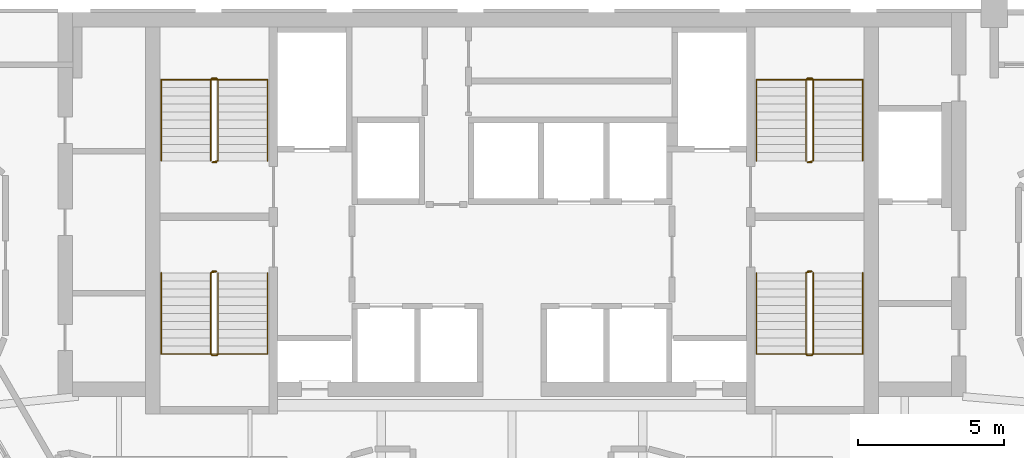
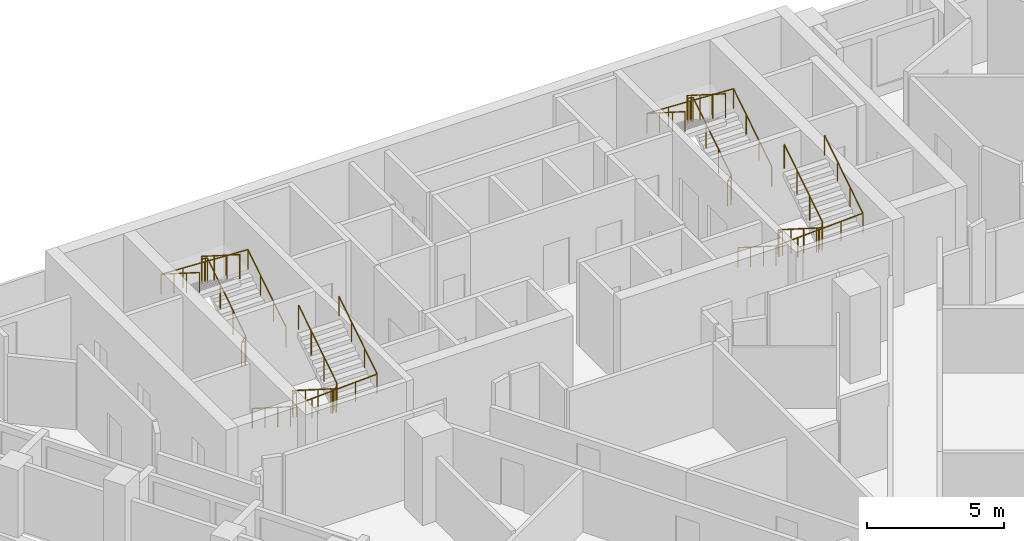
# One storey, part 9 of 9: 8 railings.
"""IFC4 building model written with IfcOpenShell, lengths in metres."""

from ifc_helpers import new_model, si_unit, direction, frame, origin, origin_2d, place, context, subcontext, project, spatial, circle, extrude, material, type_object, element, save


model = new_model("IFC4")

# Units and contexts
model_context = context("Model", 3, precision=1e-05, world=origin(), true_north=direction((0.0, 1.0)))
body_context = subcontext(model_context, "Body", "Model", "MODEL_VIEW")
ifc_project = project(units=[si_unit("LENGTHUNIT", "METRE"), si_unit("AREAUNIT", "SQUARE_METRE"), si_unit("VOLUMEUNIT", "CUBIC_METRE"), si_unit("PLANEANGLEUNIT", "RADIAN"), si_unit("MASSUNIT", "GRAM", prefix="KILO")], contexts=[model_context])

# Site, building, storey
site_placement = place(None, origin())
site = spatial("IfcSite", under=ifc_project, at=site_placement, CompositionType="ELEMENT")
building_placement = place(site_placement, origin())
building = spatial("IfcBuilding", under=site, at=building_placement, Name="Calabash Gate Tower", CompositionType="ELEMENT")
storey_placement = place(building_placement, frame((0.0, 0.0, 179.699951171875)))
storey = spatial("IfcBuildingStorey", under=building, at=storey_placement, Name="L42", CompositionType="ELEMENT", Elevation=179.699951171875)

# Railings
ifc_material_1 = material(Name="Black powder-coated steel balusters", Category="steel")
railing_type_1 = type_object("IfcRailingType", Name="Stair guard RL1100", PredefinedType="GUARDRAIL", material=ifc_material_1)
railing_1_placement = place(storey_placement, frame((-10.14990234375, 13.902587890625, 0.0)))
element("IfcRailing", 1, at=railing_1_placement, inside=storey, type_object=railing_type_1, Name="L42 ST1 stair guard 1", PredefinedType="GUARDRAIL", context=body_context, shape_type="SweptSolid", body=[
    extrude(circle(Radius=0.02392578125, at=origin_2d()), frame((0.0, 0.0, 1.076171875), z_axis=(-1.0, 0.0, 0.0), x_axis=(0.0, -1.0, 0.0)), (0.0, 0.0, 1.0), 0.150146484375),
    extrude(circle(Radius=0.02392578125, at=origin_2d()), frame((-0.150146484375, 0.0, 1.076171875), z_axis=(0.735524641326, 0.184105679453, 0.652003528208), x_axis=(-0.242814311512, 0.970072785993, 0.0)), (0.0, 0.0, 1.0), 0.271728515625),
    extrude(circle(Radius=0.02392578125, at=origin_2d()), frame((0.0498046875, 0.050048828125, 1.25341796875), z_axis=(0.0, 0.844041424197, 0.536277982245), x_axis=(-1.0, 0.0, 0.0)), (0.0, 0.0, 1.0), 3.3056640625),
    extrude(circle(Radius=0.02392578125, at=origin_2d()), frame((0.0498046875, 2.840087890625, 3.02587890625), z_axis=(-0.707106781187, 0.707106781187, 0.0), x_axis=(-0.707106781187, -0.707106781187, 0.0)), (0.0, 0.0, 1.0), 0.0703125),
    extrude(circle(Radius=0.02392578125, at=origin_2d()), frame((0.0, 2.889892578125, 3.02587890625), z_axis=(-1.0, 0.0, 0.0), x_axis=(0.0, -1.0, 0.0)), (0.0, 0.0, 1.0), 0.150146484375),
    extrude(circle(Radius=0.02392578125, at=origin_2d()), frame((-0.150146484375, 2.889892578125, 3.02587890625), z_axis=(-0.262009983441, -0.260731885961, 0.929176868105), x_axis=(0.705375805398, -0.708833529934, 0.0)), (0.0, 0.0, 1.0), 0.19091796875),
    extrude(circle(Radius=0.02392578125, at=origin_2d()), frame((-0.2001953125, 2.840087890625, 3.20361328125), z_axis=(0.0, -0.844041424197, 0.536277982245), x_axis=(1.0, 0.0, 0.0)), (0.0, 0.0, 1.0), 3.3056640625),
    extrude(circle(Radius=0.02099609375, at=origin_2d()), origin(), (0.0, 0.0, 1.0), 1.052001953125),
    extrude(circle(Radius=0.02099609375, at=origin_2d()), frame((-0.150146484375, 0.0, 0.0)), (0.0, 0.0, 1.0), 1.052001953125),
    extrude(circle(Radius=0.02099609375, at=origin_2d()), frame((0.0498046875, 0.050048828125, 0.17724609375)), (0.0, 0.0, 1.0), 1.052001953125),
    extrude(circle(Radius=0.02099609375, at=origin_2d()), frame((0.0498046875, 0.97998046875, 0.76806640625)), (0.0, 0.0, 1.0), 1.052001953125),
    extrude(circle(Radius=0.02099609375, at=origin_2d()), frame((0.0498046875, 1.91015625, 1.359130859375)), (0.0, 0.0, 1.0), 1.052001953125),
    extrude(circle(Radius=0.02099609375, at=origin_2d()), frame((0.0498046875, 2.840087890625, 1.949951171875)), (0.0, 0.0, 1.0), 1.052001953125),
    extrude(circle(Radius=0.02099609375, at=origin_2d()), frame((0.0, 2.889892578125, 1.949951171875)), (0.0, 0.0, 1.0), 1.052001953125),
    extrude(circle(Radius=0.02099609375, at=origin_2d()), frame((-0.150146484375, 2.889892578125, 1.949951171875)), (0.0, 0.0, 1.0), 1.052001953125),
    extrude(circle(Radius=0.02099609375, at=origin_2d()), frame((-0.2001953125, 2.840087890625, 2.12744140625)), (0.0, 0.0, 1.0), 1.052001953125),
    extrude(circle(Radius=0.02099609375, at=origin_2d()), frame((-0.2001953125, 1.91015625, 2.71826171875)), (0.0, 0.0, 1.0), 1.052001953125),
    extrude(circle(Radius=0.02099609375, at=origin_2d()), frame((-0.2001953125, 0.97998046875, 3.309326171875)), (0.0, 0.0, 1.0), 1.052001953125),
    extrude(circle(Radius=0.02099609375, at=origin_2d()), frame((-0.2001953125, 0.050048828125, 3.900146484375)), (0.0, 0.0, 1.0), 1.052001953125),
])
railing_2_placement = place(storey_placement, frame((-10.300048828125, 10.152587890625, 0.0)))
element("IfcRailing", 2, at=railing_2_placement, inside=storey, type_object=railing_type_1, Name="L42 ST2 stair guard 1", PredefinedType="GUARDRAIL", context=body_context, shape_type="SweptSolid", body=[
    extrude(circle(Radius=0.02392578125, at=origin_2d()), frame((0.0, 0.0, 1.076171875), z_axis=(1.0, 0.0, 0.0), x_axis=(0.0, 1.0, 0.0)), (0.0, 0.0, 1.0), 0.150146484375),
    extrude(circle(Radius=0.02392578125, at=origin_2d()), frame((0.150146484375, 0.0, 1.076171875), z_axis=(-0.735936453418, -0.183984113355, 0.651573006319), x_axis=(0.242535625036, -0.970142500145, 0.0)), (0.0, 0.0, 1.0), 0.27197265625),
    extrude(circle(Radius=0.02392578125, at=origin_2d()), frame((-0.050048828125, -0.050048828125, 1.25341796875), z_axis=(0.0, -0.844041424197, 0.536277982245), x_axis=(1.0, 0.0, 0.0)), (0.0, 0.0, 1.0), 3.3056640625),
    extrude(circle(Radius=0.02392578125, at=origin_2d()), frame((-0.050048828125, -2.840087890625, 3.02587890625), z_axis=(0.708833529934, -0.705375805398, 0.0), x_axis=(0.705375805398, 0.708833529934, 0.0)), (0.0, 0.0, 1.0), 0.070556640625),
    extrude(circle(Radius=0.02392578125, at=origin_2d()), frame((0.0, -2.889892578125, 3.02587890625), z_axis=(1.0, 0.0, 0.0), x_axis=(0.0, 1.0, 0.0)), (0.0, 0.0, 1.0), 0.150146484375),
    extrude(circle(Radius=0.02392578125, at=origin_2d()), frame((0.150146484375, -2.889892578125, 3.02587890625), z_axis=(0.26081902908, 0.26081902908, 0.92948742226), x_axis=(-0.707106781187, 0.707106781187, 0.0)), (0.0, 0.0, 1.0), 0.19091796875),
    extrude(circle(Radius=0.02392578125, at=origin_2d()), frame((0.199951171875, -2.840087890625, 3.20361328125), z_axis=(0.0, 0.844041424197, 0.536277982245), x_axis=(-1.0, 0.0, 0.0)), (0.0, 0.0, 1.0), 3.3056640625),
    extrude(circle(Radius=0.02099609375, at=origin_2d()), origin(), (0.0, 0.0, 1.0), 1.052001953125),
    extrude(circle(Radius=0.02099609375, at=origin_2d()), frame((0.150146484375, 0.0, 0.0)), (0.0, 0.0, 1.0), 1.052001953125),
    extrude(circle(Radius=0.02099609375, at=origin_2d()), frame((-0.050048828125, -0.050048828125, 0.17724609375)), (0.0, 0.0, 1.0), 1.052001953125),
    extrude(circle(Radius=0.02099609375, at=origin_2d()), frame((-0.050048828125, -0.97998046875, 0.76806640625)), (0.0, 0.0, 1.0), 1.052001953125),
    extrude(circle(Radius=0.02099609375, at=origin_2d()), frame((-0.050048828125, -1.91015625, 1.359130859375)), (0.0, 0.0, 1.0), 1.052001953125),
    extrude(circle(Radius=0.02099609375, at=origin_2d()), frame((-0.050048828125, -2.840087890625, 1.949951171875)), (0.0, 0.0, 1.0), 1.052001953125),
    extrude(circle(Radius=0.02099609375, at=origin_2d()), frame((0.0, -2.889892578125, 1.949951171875)), (0.0, 0.0, 1.0), 1.052001953125),
    extrude(circle(Radius=0.02099609375, at=origin_2d()), frame((0.150146484375, -2.889892578125, 1.949951171875)), (0.0, 0.0, 1.0), 1.052001953125),
    extrude(circle(Radius=0.02099609375, at=origin_2d()), frame((0.199951171875, -2.840087890625, 2.12744140625)), (0.0, 0.0, 1.0), 1.052001953125),
    extrude(circle(Radius=0.02099609375, at=origin_2d()), frame((0.199951171875, -1.91015625, 2.71826171875)), (0.0, 0.0, 1.0), 1.052001953125),
    extrude(circle(Radius=0.02099609375, at=origin_2d()), frame((0.199951171875, -0.97998046875, 3.309326171875)), (0.0, 0.0, 1.0), 1.052001953125),
    extrude(circle(Radius=0.02099609375, at=origin_2d()), frame((0.199951171875, -0.050048828125, 3.900146484375)), (0.0, 0.0, 1.0), 1.052001953125),
])
railing_3_placement = place(storey_placement, frame((10.300048828125, 13.902587890625, 0.0)))
element("IfcRailing", 3, at=railing_3_placement, inside=storey, type_object=railing_type_1, Name="L42 ST3 stair guard 1", PredefinedType="GUARDRAIL", context=body_context, shape_type="SweptSolid", body=[
    extrude(circle(Radius=0.02392578125, at=origin_2d()), frame((0.0, 0.0, 1.076171875), z_axis=(-1.0, 0.0, 0.0), x_axis=(0.0, -1.0, 0.0)), (0.0, 0.0, 1.0), 0.150146484375),
    extrude(circle(Radius=0.02392578125, at=origin_2d()), frame((-0.150146484375, 0.0, 1.076171875), z_axis=(0.735936453418, 0.183984113355, 0.651573006319), x_axis=(-0.242535625036, 0.970142500145, 0.0)), (0.0, 0.0, 1.0), 0.27197265625),
    extrude(circle(Radius=0.02392578125, at=origin_2d()), frame((0.050048828125, 0.050048828125, 1.25341796875), z_axis=(0.0, 0.844041424197, 0.536277982245), x_axis=(-1.0, 0.0, 0.0)), (0.0, 0.0, 1.0), 3.3056640625),
    extrude(circle(Radius=0.02392578125, at=origin_2d()), frame((0.050048828125, 2.840087890625, 3.02587890625), z_axis=(-0.708833529934, 0.705375805398, 0.0), x_axis=(-0.705375805398, -0.708833529934, 0.0)), (0.0, 0.0, 1.0), 0.070556640625),
    extrude(circle(Radius=0.02392578125, at=origin_2d()), frame((0.0, 2.889892578125, 3.02587890625), z_axis=(-1.0, 0.0, 0.0), x_axis=(0.0, -1.0, 0.0)), (0.0, 0.0, 1.0), 0.150146484375),
    extrude(circle(Radius=0.02392578125, at=origin_2d()), frame((-0.150146484375, 2.889892578125, 3.02587890625), z_axis=(-0.26081902908, -0.26081902908, 0.92948742226), x_axis=(0.707106781187, -0.707106781187, 0.0)), (0.0, 0.0, 1.0), 0.19091796875),
    extrude(circle(Radius=0.02392578125, at=origin_2d()), frame((-0.199951171875, 2.840087890625, 3.20361328125), z_axis=(0.0, -0.844041424197, 0.536277982245), x_axis=(1.0, 0.0, 0.0)), (0.0, 0.0, 1.0), 3.3056640625),
    extrude(circle(Radius=0.02099609375, at=origin_2d()), origin(), (0.0, 0.0, 1.0), 1.052001953125),
    extrude(circle(Radius=0.02099609375, at=origin_2d()), frame((-0.150146484375, 0.0, 0.0)), (0.0, 0.0, 1.0), 1.052001953125),
    extrude(circle(Radius=0.02099609375, at=origin_2d()), frame((0.050048828125, 0.050048828125, 0.17724609375)), (0.0, 0.0, 1.0), 1.052001953125),
    extrude(circle(Radius=0.02099609375, at=origin_2d()), frame((0.050048828125, 0.97998046875, 0.76806640625)), (0.0, 0.0, 1.0), 1.052001953125),
    extrude(circle(Radius=0.02099609375, at=origin_2d()), frame((0.050048828125, 1.91015625, 1.359130859375)), (0.0, 0.0, 1.0), 1.052001953125),
    extrude(circle(Radius=0.02099609375, at=origin_2d()), frame((0.050048828125, 2.840087890625, 1.949951171875)), (0.0, 0.0, 1.0), 1.052001953125),
    extrude(circle(Radius=0.02099609375, at=origin_2d()), frame((0.0, 2.889892578125, 1.949951171875)), (0.0, 0.0, 1.0), 1.052001953125),
    extrude(circle(Radius=0.02099609375, at=origin_2d()), frame((-0.150146484375, 2.889892578125, 1.949951171875)), (0.0, 0.0, 1.0), 1.052001953125),
    extrude(circle(Radius=0.02099609375, at=origin_2d()), frame((-0.199951171875, 2.840087890625, 2.12744140625)), (0.0, 0.0, 1.0), 1.052001953125),
    extrude(circle(Radius=0.02099609375, at=origin_2d()), frame((-0.199951171875, 1.91015625, 2.71826171875)), (0.0, 0.0, 1.0), 1.052001953125),
    extrude(circle(Radius=0.02099609375, at=origin_2d()), frame((-0.199951171875, 0.97998046875, 3.309326171875)), (0.0, 0.0, 1.0), 1.052001953125),
    extrude(circle(Radius=0.02099609375, at=origin_2d()), frame((-0.199951171875, 0.050048828125, 3.900146484375)), (0.0, 0.0, 1.0), 1.052001953125),
])
railing_4_placement = place(storey_placement, frame((10.14990234375, 10.152587890625, 0.0)))
element("IfcRailing", 4, at=railing_4_placement, inside=storey, type_object=railing_type_1, Name="L42 ST4 stair guard 1", PredefinedType="GUARDRAIL", context=body_context, shape_type="SweptSolid", body=[
    extrude(circle(Radius=0.02392578125, at=origin_2d()), frame((0.0, 0.0, 1.076171875), z_axis=(1.0, 0.0, 0.0), x_axis=(0.0, 1.0, 0.0)), (0.0, 0.0, 1.0), 0.150146484375),
    extrude(circle(Radius=0.02392578125, at=origin_2d()), frame((0.150146484375, 0.0, 1.076171875), z_axis=(-0.735524641326, -0.184105679453, 0.652003528208), x_axis=(0.242814311512, -0.970072785993, 0.0)), (0.0, 0.0, 1.0), 0.271728515625),
    extrude(circle(Radius=0.02392578125, at=origin_2d()), frame((-0.0498046875, -0.050048828125, 1.25341796875), z_axis=(0.0, -0.844041424197, 0.536277982245), x_axis=(1.0, 0.0, 0.0)), (0.0, 0.0, 1.0), 3.3056640625),
    extrude(circle(Radius=0.02392578125, at=origin_2d()), frame((-0.0498046875, -2.840087890625, 3.02587890625), z_axis=(0.707106781187, -0.707106781187, 0.0), x_axis=(0.707106781187, 0.707106781187, 0.0)), (0.0, 0.0, 1.0), 0.0703125),
    extrude(circle(Radius=0.02392578125, at=origin_2d()), frame((0.0, -2.889892578125, 3.02587890625), z_axis=(1.0, 0.0, 0.0), x_axis=(0.0, 1.0, 0.0)), (0.0, 0.0, 1.0), 0.150146484375),
    extrude(circle(Radius=0.02392578125, at=origin_2d()), frame((0.150146484375, -2.889892578125, 3.02587890625), z_axis=(0.262009983441, 0.260731885961, 0.929176868105), x_axis=(-0.705375805398, 0.708833529934, 0.0)), (0.0, 0.0, 1.0), 0.19091796875),
    extrude(circle(Radius=0.02392578125, at=origin_2d()), frame((0.2001953125, -2.840087890625, 3.20361328125), z_axis=(0.0, 0.844041424197, 0.536277982245), x_axis=(-1.0, 0.0, 0.0)), (0.0, 0.0, 1.0), 3.3056640625),
    extrude(circle(Radius=0.02099609375, at=origin_2d()), origin(), (0.0, 0.0, 1.0), 1.052001953125),
    extrude(circle(Radius=0.02099609375, at=origin_2d()), frame((0.150146484375, 0.0, 0.0)), (0.0, 0.0, 1.0), 1.052001953125),
    extrude(circle(Radius=0.02099609375, at=origin_2d()), frame((-0.0498046875, -0.050048828125, 0.17724609375)), (0.0, 0.0, 1.0), 1.052001953125),
    extrude(circle(Radius=0.02099609375, at=origin_2d()), frame((-0.0498046875, -0.97998046875, 0.76806640625)), (0.0, 0.0, 1.0), 1.052001953125),
    extrude(circle(Radius=0.02099609375, at=origin_2d()), frame((-0.0498046875, -1.91015625, 1.359130859375)), (0.0, 0.0, 1.0), 1.052001953125),
    extrude(circle(Radius=0.02099609375, at=origin_2d()), frame((-0.0498046875, -2.840087890625, 1.949951171875)), (0.0, 0.0, 1.0), 1.052001953125),
    extrude(circle(Radius=0.02099609375, at=origin_2d()), frame((0.0, -2.889892578125, 1.949951171875)), (0.0, 0.0, 1.0), 1.052001953125),
    extrude(circle(Radius=0.02099609375, at=origin_2d()), frame((0.150146484375, -2.889892578125, 1.949951171875)), (0.0, 0.0, 1.0), 1.052001953125),
    extrude(circle(Radius=0.02099609375, at=origin_2d()), frame((0.2001953125, -2.840087890625, 2.12744140625)), (0.0, 0.0, 1.0), 1.052001953125),
    extrude(circle(Radius=0.02099609375, at=origin_2d()), frame((0.2001953125, -1.91015625, 2.71826171875)), (0.0, 0.0, 1.0), 1.052001953125),
    extrude(circle(Radius=0.02099609375, at=origin_2d()), frame((0.2001953125, -0.97998046875, 3.309326171875)), (0.0, 0.0, 1.0), 1.052001953125),
    extrude(circle(Radius=0.02099609375, at=origin_2d()), frame((0.2001953125, -0.050048828125, 3.900146484375)), (0.0, 0.0, 1.0), 1.052001953125),
])
ifc_material_2 = material(Name="Black powder-coated steel tube 48 mm", Category="steel")
railing_type_2 = type_object("IfcRailingType", Name="Stair handrail RL900", PredefinedType="HANDRAIL", material=ifc_material_2)
railing_5_placement = place(storey_placement, frame((-8.39990234375, 13.95263671875, 0.17724609375)))
element("IfcRailing", 5, at=railing_5_placement, inside=storey, type_object=railing_type_2, Name="L42 ST1 stair handrail 1", PredefinedType="HANDRAIL", context=body_context, shape_type="SweptSolid", body=[
    extrude(circle(Radius=0.02392578125, at=origin_2d()), frame((0.0, 0.0, 0.8759765625), z_axis=(0.0, 0.844041424197, 0.536277982245), x_axis=(-1.0, 0.0, 0.0)), (0.0, 0.0, 1.0), 3.3056640625),
    extrude(circle(Radius=0.02392578125, at=origin_2d()), frame((0.0, 2.7900390625, 2.6484375), z_axis=(-0.998819872233, 0.0, 0.048568125685), x_axis=(0.0, -1.0, 0.0)), (0.0, 0.0, 1.0), 3.654541015625),
    extrude(circle(Radius=0.02392578125, at=origin_2d()), frame((-3.650146484375, 2.7900390625, 2.826171875), z_axis=(0.0, -0.844041424197, 0.536277982245), x_axis=(1.0, 0.0, 0.0)), (0.0, 0.0, 1.0), 3.3056640625),
    extrude(circle(Radius=0.02099609375, at=origin_2d()), origin(), (0.0, 0.0, 1.0), 0.851806640625),
    extrude(circle(Radius=0.02099609375, at=origin_2d()), frame((0.0, 0.929931640625, 0.5908203125)), (0.0, 0.0, 1.0), 0.851806640625),
    extrude(circle(Radius=0.02099609375, at=origin_2d()), frame((0.0, 1.860107421875, 1.181884765625)), (0.0, 0.0, 1.0), 0.851806640625),
    extrude(circle(Radius=0.02099609375, at=origin_2d()), frame((0.0, 2.7900390625, 1.772705078125)), (0.0, 0.0, 1.0), 0.851806640625),
    extrude(circle(Radius=0.02099609375, at=origin_2d()), frame((-0.91259765625, 2.7900390625, 1.817138671875)), (0.0, 0.0, 1.0), 0.851806640625),
    extrude(circle(Radius=0.02099609375, at=origin_2d()), frame((-1.8251953125, 2.7900390625, 1.861328125)), (0.0, 0.0, 1.0), 0.851806640625),
    extrude(circle(Radius=0.02099609375, at=origin_2d()), frame((-2.737548828125, 2.7900390625, 1.90576171875)), (0.0, 0.0, 1.0), 0.851806640625),
    extrude(circle(Radius=0.02099609375, at=origin_2d()), frame((-3.650146484375, 2.7900390625, 1.9501953125)), (0.0, 0.0, 1.0), 0.851806640625),
    extrude(circle(Radius=0.02099609375, at=origin_2d()), frame((-3.650146484375, 1.860107421875, 2.541015625)), (0.0, 0.0, 1.0), 0.851806640625),
    extrude(circle(Radius=0.02099609375, at=origin_2d()), frame((-3.650146484375, 0.929931640625, 3.132080078125)), (0.0, 0.0, 1.0), 0.851806640625),
    extrude(circle(Radius=0.02099609375, at=origin_2d()), frame((-3.650146484375, 0.0, 3.722900390625)), (0.0, 0.0, 1.0), 0.851806640625),
])
railing_6_placement = place(storey_placement, frame((-12.050048828125, 10.1025390625, 0.17724609375)))
element("IfcRailing", 6, at=railing_6_placement, inside=storey, type_object=railing_type_2, Name="L42 ST2 stair handrail 1", PredefinedType="HANDRAIL", context=body_context, shape_type="SweptSolid", body=[
    extrude(circle(Radius=0.02392578125, at=origin_2d()), frame((0.0, 0.0, 0.8759765625), z_axis=(0.0, -0.844041424197, 0.536277982245), x_axis=(1.0, 0.0, 0.0)), (0.0, 0.0, 1.0), 3.3056640625),
    extrude(circle(Radius=0.02392578125, at=origin_2d()), frame((0.0, -2.7900390625, 2.6484375), z_axis=(0.998819872233, 0.0, 0.048568125685), x_axis=(0.0, 1.0, 0.0)), (0.0, 0.0, 1.0), 3.654541015625),
    extrude(circle(Radius=0.02392578125, at=origin_2d()), frame((3.650146484375, -2.7900390625, 2.826171875), z_axis=(0.0, 0.844041424197, 0.536277982245), x_axis=(-1.0, 0.0, 0.0)), (0.0, 0.0, 1.0), 3.3056640625),
    extrude(circle(Radius=0.02099609375, at=origin_2d()), origin(), (0.0, 0.0, 1.0), 0.851806640625),
    extrude(circle(Radius=0.02099609375, at=origin_2d()), frame((0.0, -0.929931640625, 0.5908203125)), (0.0, 0.0, 1.0), 0.851806640625),
    extrude(circle(Radius=0.02099609375, at=origin_2d()), frame((0.0, -1.860107421875, 1.181884765625)), (0.0, 0.0, 1.0), 0.851806640625),
    extrude(circle(Radius=0.02099609375, at=origin_2d()), frame((0.0, -2.7900390625, 1.772705078125)), (0.0, 0.0, 1.0), 0.851806640625),
    extrude(circle(Radius=0.02099609375, at=origin_2d()), frame((0.91259765625, -2.7900390625, 1.817138671875)), (0.0, 0.0, 1.0), 0.851806640625),
    extrude(circle(Radius=0.02099609375, at=origin_2d()), frame((1.8251953125, -2.7900390625, 1.861328125)), (0.0, 0.0, 1.0), 0.851806640625),
    extrude(circle(Radius=0.02099609375, at=origin_2d()), frame((2.737548828125, -2.7900390625, 1.90576171875)), (0.0, 0.0, 1.0), 0.851806640625),
    extrude(circle(Radius=0.02099609375, at=origin_2d()), frame((3.650146484375, -2.7900390625, 1.9501953125)), (0.0, 0.0, 1.0), 0.851806640625),
    extrude(circle(Radius=0.02099609375, at=origin_2d()), frame((3.650146484375, -1.860107421875, 2.541015625)), (0.0, 0.0, 1.0), 0.851806640625),
    extrude(circle(Radius=0.02099609375, at=origin_2d()), frame((3.650146484375, -0.929931640625, 3.132080078125)), (0.0, 0.0, 1.0), 0.851806640625),
    extrude(circle(Radius=0.02099609375, at=origin_2d()), frame((3.650146484375, 0.0, 3.722900390625)), (0.0, 0.0, 1.0), 0.851806640625),
])
railing_7_placement = place(storey_placement, frame((12.050048828125, 13.95263671875, 0.17724609375)))
element("IfcRailing", 7, at=railing_7_placement, inside=storey, type_object=railing_type_2, Name="L42 ST3 stair handrail 1", PredefinedType="HANDRAIL", context=body_context, shape_type="SweptSolid", body=[
    extrude(circle(Radius=0.02392578125, at=origin_2d()), frame((0.0, 0.0, 0.8759765625), z_axis=(0.0, 0.844041424197, 0.536277982245), x_axis=(-1.0, 0.0, 0.0)), (0.0, 0.0, 1.0), 3.3056640625),
    extrude(circle(Radius=0.02392578125, at=origin_2d()), frame((0.0, 2.7900390625, 2.6484375), z_axis=(-0.998819872233, 0.0, 0.048568125685), x_axis=(0.0, -1.0, 0.0)), (0.0, 0.0, 1.0), 3.654541015625),
    extrude(circle(Radius=0.02392578125, at=origin_2d()), frame((-3.650146484375, 2.7900390625, 2.826171875), z_axis=(0.0, -0.844041424197, 0.536277982245), x_axis=(1.0, 0.0, 0.0)), (0.0, 0.0, 1.0), 3.3056640625),
    extrude(circle(Radius=0.02099609375, at=origin_2d()), origin(), (0.0, 0.0, 1.0), 0.851806640625),
    extrude(circle(Radius=0.02099609375, at=origin_2d()), frame((0.0, 0.929931640625, 0.5908203125)), (0.0, 0.0, 1.0), 0.851806640625),
    extrude(circle(Radius=0.02099609375, at=origin_2d()), frame((0.0, 1.860107421875, 1.181884765625)), (0.0, 0.0, 1.0), 0.851806640625),
    extrude(circle(Radius=0.02099609375, at=origin_2d()), frame((0.0, 2.7900390625, 1.772705078125)), (0.0, 0.0, 1.0), 0.851806640625),
    extrude(circle(Radius=0.02099609375, at=origin_2d()), frame((-0.91259765625, 2.7900390625, 1.817138671875)), (0.0, 0.0, 1.0), 0.851806640625),
    extrude(circle(Radius=0.02099609375, at=origin_2d()), frame((-1.8251953125, 2.7900390625, 1.861328125)), (0.0, 0.0, 1.0), 0.851806640625),
    extrude(circle(Radius=0.02099609375, at=origin_2d()), frame((-2.737548828125, 2.7900390625, 1.90576171875)), (0.0, 0.0, 1.0), 0.851806640625),
    extrude(circle(Radius=0.02099609375, at=origin_2d()), frame((-3.650146484375, 2.7900390625, 1.9501953125)), (0.0, 0.0, 1.0), 0.851806640625),
    extrude(circle(Radius=0.02099609375, at=origin_2d()), frame((-3.650146484375, 1.860107421875, 2.541015625)), (0.0, 0.0, 1.0), 0.851806640625),
    extrude(circle(Radius=0.02099609375, at=origin_2d()), frame((-3.650146484375, 0.929931640625, 3.132080078125)), (0.0, 0.0, 1.0), 0.851806640625),
    extrude(circle(Radius=0.02099609375, at=origin_2d()), frame((-3.650146484375, 0.0, 3.722900390625)), (0.0, 0.0, 1.0), 0.851806640625),
])
railing_8_placement = place(storey_placement, frame((8.39990234375, 10.1025390625, 0.17724609375)))
element("IfcRailing", 8, at=railing_8_placement, inside=storey, type_object=railing_type_2, Name="L42 ST4 stair handrail 1", PredefinedType="HANDRAIL", context=body_context, shape_type="SweptSolid", body=[
    extrude(circle(Radius=0.02392578125, at=origin_2d()), frame((0.0, 0.0, 0.8759765625), z_axis=(0.0, -0.844041424197, 0.536277982245), x_axis=(1.0, 0.0, 0.0)), (0.0, 0.0, 1.0), 3.3056640625),
    extrude(circle(Radius=0.02392578125, at=origin_2d()), frame((0.0, -2.7900390625, 2.6484375), z_axis=(0.998819872233, 0.0, 0.048568125685), x_axis=(0.0, 1.0, 0.0)), (0.0, 0.0, 1.0), 3.654541015625),
    extrude(circle(Radius=0.02392578125, at=origin_2d()), frame((3.650146484375, -2.7900390625, 2.826171875), z_axis=(0.0, 0.844041424197, 0.536277982245), x_axis=(-1.0, 0.0, 0.0)), (0.0, 0.0, 1.0), 3.3056640625),
    extrude(circle(Radius=0.02099609375, at=origin_2d()), origin(), (0.0, 0.0, 1.0), 0.851806640625),
    extrude(circle(Radius=0.02099609375, at=origin_2d()), frame((0.0, -0.929931640625, 0.5908203125)), (0.0, 0.0, 1.0), 0.851806640625),
    extrude(circle(Radius=0.02099609375, at=origin_2d()), frame((0.0, -1.860107421875, 1.181884765625)), (0.0, 0.0, 1.0), 0.851806640625),
    extrude(circle(Radius=0.02099609375, at=origin_2d()), frame((0.0, -2.7900390625, 1.772705078125)), (0.0, 0.0, 1.0), 0.851806640625),
    extrude(circle(Radius=0.02099609375, at=origin_2d()), frame((0.91259765625, -2.7900390625, 1.817138671875)), (0.0, 0.0, 1.0), 0.851806640625),
    extrude(circle(Radius=0.02099609375, at=origin_2d()), frame((1.8251953125, -2.7900390625, 1.861328125)), (0.0, 0.0, 1.0), 0.851806640625),
    extrude(circle(Radius=0.02099609375, at=origin_2d()), frame((2.737548828125, -2.7900390625, 1.90576171875)), (0.0, 0.0, 1.0), 0.851806640625),
    extrude(circle(Radius=0.02099609375, at=origin_2d()), frame((3.650146484375, -2.7900390625, 1.9501953125)), (0.0, 0.0, 1.0), 0.851806640625),
    extrude(circle(Radius=0.02099609375, at=origin_2d()), frame((3.650146484375, -1.860107421875, 2.541015625)), (0.0, 0.0, 1.0), 0.851806640625),
    extrude(circle(Radius=0.02099609375, at=origin_2d()), frame((3.650146484375, -0.929931640625, 3.132080078125)), (0.0, 0.0, 1.0), 0.851806640625),
    extrude(circle(Radius=0.02099609375, at=origin_2d()), frame((3.650146484375, 0.0, 3.722900390625)), (0.0, 0.0, 1.0), 0.851806640625),
])

save(model, "model.ifc")
